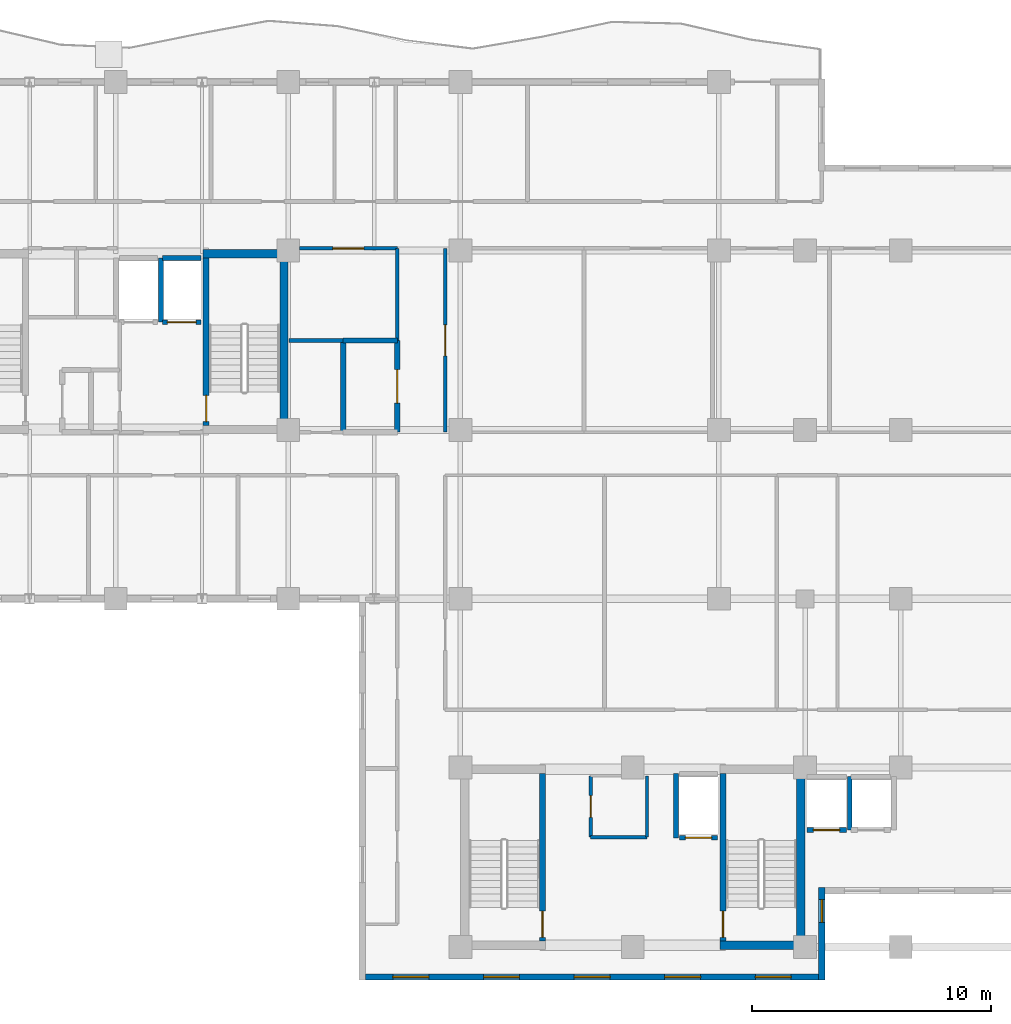
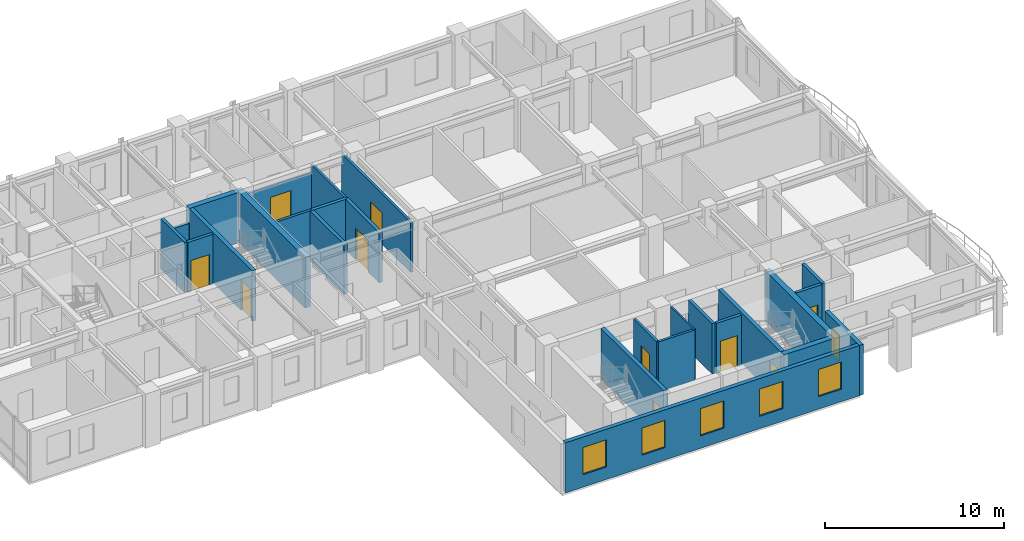
# One storey, part 14 of 20: 26 walls, 10 doors, 6 windows, 16 openings.
"""IFC4 building model written with IfcOpenShell, lengths in metres."""

from ifc_helpers import new_model, si_unit, direction, frame, frame_2d, origin, place, context, subcontext, project, spatial, rectangle, extrude, material, layer, layer_set, type_object, element, fill, save


model = new_model("IFC4")

# Units and contexts
model_context = context("Model", 3, precision=1e-05, world=origin(), true_north=direction((0.0, 1.0)))
body_context = subcontext(model_context, "Body", "Model", "MODEL_VIEW")
ifc_project = project(units=[si_unit("LENGTHUNIT", "METRE"), si_unit("AREAUNIT", "SQUARE_METRE"), si_unit("VOLUMEUNIT", "CUBIC_METRE"), si_unit("PLANEANGLEUNIT", "RADIAN"), si_unit("MASSUNIT", "GRAM", prefix="KILO")], contexts=[model_context])

# Site, building, storey
site_placement = place(None, origin())
site = spatial("IfcSite", under=ifc_project, at=site_placement, CompositionType="ELEMENT")
building_placement = place(site_placement, origin())
building = spatial("IfcBuilding", under=site, at=building_placement, Name="Kaliganga Portal Commons", CompositionType="ELEMENT")
storey_placement = place(building_placement, frame((0.0, 0.0, 231.39990234375)))
storey = spatial("IfcBuildingStorey", under=building, at=storey_placement, Name="L59", CompositionType="ELEMENT", Elevation=231.39990234375)

# Walls
ifc_material_1 = material(Name="Concrete C50/60", Category="concrete")
ifc_layer_1 = layer(ifc_material_1, 0.35009765625)
ifc_layer_set_1 = layer_set([ifc_layer_1], Name="Concrete C50/60")
wall_type_1 = type_object("IfcWallType", Name="WL-CORE-350", PredefinedType="SHEAR", material=ifc_layer_set_1)
wall_1_placement = place(storey_placement, frame((28.625, 28.5, 0.0), z_axis=(0.0, 0.0, 1.0), x_axis=(0.0, 1.0, 0.0)))
element("IfcWall", 1, at=wall_1_placement, inside=storey, type_object=wall_type_1, Name="Core A East Shear Wall L59", PredefinedType="SHEAR", context=body_context, shape_type="SweptSolid", body=[
    extrude(rectangle(XDim=7.699951171875, YDim=0.35009765625, at=frame_2d((3.85009765625, 0.0))), origin(), (0.0, 0.0, 1.0), 3.440185546875),
])
wall_2_placement = place(storey_placement, frame((25.25, 36.02490234375, 0.0), z_axis=(0.0, 0.0, 1.0), x_axis=(1.0, 0.0, 0.0)))
element("IfcWall", 2, at=wall_2_placement, inside=storey, type_object=wall_type_1, Name="Core A N-East Shear Wall L59", PredefinedType="SHEAR", context=body_context, shape_type="SweptSolid", body=[
    extrude(rectangle(XDim=3.199951171875, YDim=0.35009765625, at=frame_2d((1.60009765625, 0.0))), origin(), (0.0, 0.0, 1.0), 3.440185546875),
])
wall_3_placement = place(storey_placement, frame((50.22509765625, 6.949951171875, 0.0), z_axis=(0.0, 0.0, 1.0), x_axis=(0.0, 1.0, 0.0)))
element("IfcWall", 3, at=wall_3_placement, inside=storey, type_object=wall_type_1, Name="Core B East Shear Wall L59", PredefinedType="SHEAR", context=body_context, shape_type="SweptSolid", body=[
    extrude(rectangle(XDim=7.699951171875, YDim=0.35009765625, at=frame_2d((3.85009765625, 0.0))), origin(), (0.0, 0.0, 1.0), 3.440185546875),
])
wall_4_placement = place(storey_placement, frame((46.85009765625, 7.125, 0.0), z_axis=(0.0, 0.0, 1.0), x_axis=(1.0, 0.0, 0.0)))
element("IfcWall", 4, at=wall_4_placement, inside=storey, type_object=wall_type_1, Name="Core B S-East Shear Wall L59", PredefinedType="SHEAR", context=body_context, shape_type="SweptSolid", body=[
    extrude(rectangle(XDim=3.199951171875, YDim=0.35009765625, at=frame_2d((1.60009765625, 0.0))), origin(), (0.0, 0.0, 1.0), 3.440185546875),
])

# Wall, openings, windows
ifc_material_2 = material(Name="Insulated Aluminium-Clad Spandrel Assembly", Category="aluminium")
ifc_layer_2 = layer(ifc_material_2, 0.260009765625)
ifc_layer_set_2 = layer_set([ifc_layer_2], Name="Insulated Aluminium-Clad Spandrel Assembly")
wall_type_2 = type_object("IfcWallType", Name="WL-EXT-SPAND-260", PredefinedType="STANDARD", material=ifc_layer_set_2)
wall_5_placement = place(storey_placement, frame((50.965087890625, 5.800048828125, 0.0), z_axis=(0.0, 0.0, 1.0), x_axis=(-1.0, 0.0, 0.0)))
wall_5 = element("IfcWall", 5, at=wall_5_placement, inside=storey, type_object=wall_type_2, Name="Exterior Envelope Wall L59 P1-E00-S1", PredefinedType="STANDARD", context=body_context, shape_type="SweptSolid", body=[
    extrude(rectangle(XDim=18.93017578125, YDim=0.260009765625, at=frame_2d((9.465087890625, 0.0))), origin(), (0.0, 0.0, 1.0), 3.420166015625),
])
opening_1_placement = place(wall_5_placement, frame((1.14306640625, 0.0, 0.85009765625)))
opening_1 = element("IfcOpeningElement", 6, at=opening_1_placement, cuts=wall_5, Name="Opening W-02", PredefinedType="OPENING", context=body_context, shape_type="SweptSolid", body=[
    extrude(rectangle(XDim=1.5, YDim=1.85009765625, at=frame_2d((0.75, 0.925048828125))), frame((0.0, 0.14013671875, 0.0), z_axis=(0.0, -1.0, 0.0), x_axis=(1.0, 0.0, 0.0)), (0.0, 0.0, 1.0), 0.280029296875),
])
opening_2_placement = place(wall_5_placement, frame((4.928955078125, 0.0, 0.85009765625)))
opening_2 = element("IfcOpeningElement", 7, at=opening_2_placement, cuts=wall_5, Name="Opening W-02", PredefinedType="OPENING", context=body_context, shape_type="SweptSolid", body=[
    extrude(rectangle(XDim=1.5, YDim=1.85009765625, at=frame_2d((0.75, 0.925048828125))), frame((0.0, 0.14013671875, 0.0), z_axis=(0.0, -1.0, 0.0), x_axis=(1.0, 0.0, 0.0)), (0.0, 0.0, 1.0), 0.280029296875),
])
opening_3_placement = place(wall_5_placement, frame((8.715087890625, 0.0, 0.85009765625)))
opening_3 = element("IfcOpeningElement", 8, at=opening_3_placement, cuts=wall_5, Name="Opening W-02", PredefinedType="OPENING", context=body_context, shape_type="SweptSolid", body=[
    extrude(rectangle(XDim=1.5, YDim=1.85009765625, at=frame_2d((0.75, 0.925048828125))), frame((0.0, 0.14013671875, 0.0), z_axis=(0.0, -1.0, 0.0), x_axis=(1.0, 0.0, 0.0)), (0.0, 0.0, 1.0), 0.280029296875),
])
opening_4_placement = place(wall_5_placement, frame((12.5009765625, 0.0, 0.85009765625)))
opening_4 = element("IfcOpeningElement", 9, at=opening_4_placement, cuts=wall_5, Name="Opening W-02", PredefinedType="OPENING", context=body_context, shape_type="SweptSolid", body=[
    extrude(rectangle(XDim=1.5, YDim=1.85009765625, at=frame_2d((0.75, 0.925048828125))), frame((0.0, 0.14013671875, 0.0), z_axis=(0.0, -1.0, 0.0), x_axis=(1.0, 0.0, 0.0)), (0.0, 0.0, 1.0), 0.280029296875),
])
opening_5_placement = place(wall_5_placement, frame((16.287109375, 0.0, 0.85009765625)))
opening_5 = element("IfcOpeningElement", 10, at=opening_5_placement, cuts=wall_5, Name="Opening W-02", PredefinedType="OPENING", context=body_context, shape_type="SweptSolid", body=[
    extrude(rectangle(XDim=1.5, YDim=1.85009765625, at=frame_2d((0.75, 0.925048828125))), frame((0.0, 0.14013671875, 0.0), z_axis=(0.0, -1.0, 0.0), x_axis=(1.0, 0.0, 0.0)), (0.0, 0.0, 1.0), 0.280029296875),
])
ifc_material_3 = material(Name="Thermally Broken Aluminium and Low-E Double Glazing", Category="aluminium")
window_type_1 = type_object("IfcWindowType", Name="WIN-STD-1500", PartitioningType="DOUBLE_PANEL_VERTICAL", PredefinedType="WINDOW", material=ifc_material_3)
window_1_placement = place(opening_1_placement, origin())
window_1 = element("IfcWindow", 11, at=window_1_placement, inside=storey, type_object=window_type_1, Name="Facade Window L59-P1E00S1-00", OverallHeight=1.85009765625, OverallWidth=1.5, PartitioningType="SINGLE_PANEL", PredefinedType="WINDOW", context=body_context, shape_type="SweptSolid", body=[
    extrude(rectangle(XDim=1.5, YDim=1.85009765625, at=frame_2d((0.75, 0.925048828125))), frame((0.0, 0.030029296875, 0.0), z_axis=(0.0, -1.0, 0.0), x_axis=(1.0, 0.0, 0.0)), (0.0, 0.0, 1.0), 0.06005859375),
])
fill(opening_1, window_1)
window_2_placement = place(opening_2_placement, origin())
window_2 = element("IfcWindow", 12, at=window_2_placement, inside=storey, type_object=window_type_1, Name="Facade Window L59-P1E00S1-01", OverallHeight=1.85009765625, OverallWidth=1.5, PartitioningType="SINGLE_PANEL", PredefinedType="WINDOW", context=body_context, shape_type="SweptSolid", body=[
    extrude(rectangle(XDim=1.5, YDim=1.85009765625, at=frame_2d((0.75, 0.925048828125))), frame((0.0, 0.030029296875, 0.0), z_axis=(0.0, -1.0, 0.0), x_axis=(1.0, 0.0, 0.0)), (0.0, 0.0, 1.0), 0.06005859375),
])
fill(opening_2, window_2)
window_3_placement = place(opening_3_placement, origin())
window_3 = element("IfcWindow", 13, at=window_3_placement, inside=storey, type_object=window_type_1, Name="Facade Window L59-P1E00S1-02", OverallHeight=1.85009765625, OverallWidth=1.5, PartitioningType="SINGLE_PANEL", PredefinedType="WINDOW", context=body_context, shape_type="SweptSolid", body=[
    extrude(rectangle(XDim=1.5, YDim=1.85009765625, at=frame_2d((0.75, 0.925048828125))), frame((0.0, 0.030029296875, 0.0), z_axis=(0.0, -1.0, 0.0), x_axis=(1.0, 0.0, 0.0)), (0.0, 0.0, 1.0), 0.06005859375),
])
fill(opening_3, window_3)
window_4_placement = place(opening_4_placement, origin())
window_4 = element("IfcWindow", 14, at=window_4_placement, inside=storey, type_object=window_type_1, Name="Facade Window L59-P1E00S1-03", OverallHeight=1.85009765625, OverallWidth=1.5, PartitioningType="SINGLE_PANEL", PredefinedType="WINDOW", context=body_context, shape_type="SweptSolid", body=[
    extrude(rectangle(XDim=1.5, YDim=1.85009765625, at=frame_2d((0.75, 0.925048828125))), frame((0.0, 0.030029296875, 0.0), z_axis=(0.0, -1.0, 0.0), x_axis=(1.0, 0.0, 0.0)), (0.0, 0.0, 1.0), 0.06005859375),
])
fill(opening_4, window_4)
window_5_placement = place(opening_5_placement, origin())
window_5 = element("IfcWindow", 15, at=window_5_placement, inside=storey, type_object=window_type_1, Name="Facade Window L59-P1E00S1-04", OverallHeight=1.85009765625, OverallWidth=1.5, PartitioningType="SINGLE_PANEL", PredefinedType="WINDOW", context=body_context, shape_type="SweptSolid", body=[
    extrude(rectangle(XDim=1.5, YDim=1.85009765625, at=frame_2d((0.75, 0.925048828125))), frame((0.0, 0.030029296875, 0.0), z_axis=(0.0, -1.0, 0.0), x_axis=(1.0, 0.0, 0.0)), (0.0, 0.0, 1.0), 0.06005859375),
])
fill(opening_5, window_5)

# Wall, opening, window
wall_6_placement = place(storey_placement, frame((51.10009765625, 9.530029296875, 0.0), z_axis=(0.0, 0.0, 1.0), x_axis=(0.0, -1.0, 0.0)))
wall_6 = element("IfcWall", 16, at=wall_6_placement, inside=storey, type_object=wall_type_2, Name="Exterior Envelope Wall L59 P1-E01-S1", PredefinedType="STANDARD", context=body_context, shape_type="SweptSolid", body=[
    extrude(rectangle(XDim=3.860107421875, YDim=0.260009765625, at=frame_2d((1.93017578125, 0.0))), origin(), (0.0, 0.0, 1.0), 3.420166015625),
])
opening_6_placement = place(wall_6_placement, frame((0.497802734375, 0.0, 0.85009765625)))
opening_6 = element("IfcOpeningElement", 17, at=opening_6_placement, cuts=wall_6, Name="Opening W-04", PredefinedType="OPENING", context=body_context, shape_type="SweptSolid", body=[
    extrude(rectangle(XDim=0.949951171875, YDim=1.75, at=frame_2d((0.47509765625, 0.875))), frame((0.0, 0.14013671875, 0.0), z_axis=(0.0, -1.0, 0.0), x_axis=(1.0, 0.0, 0.0)), (0.0, 0.0, 1.0), 0.280029296875),
])
window_type_2 = type_object("IfcWindowType", Name="WIN-NARROW-950", PartitioningType="SINGLE_PANEL", PredefinedType="WINDOW", material=ifc_material_3)
window_6_placement = place(opening_6_placement, origin())
window_6 = element("IfcWindow", 18, at=window_6_placement, inside=storey, type_object=window_type_2, Name="Facade Window L59-P1E01S1-N1", OverallHeight=1.75, OverallWidth=0.949951171875, PartitioningType="SINGLE_PANEL", PredefinedType="WINDOW", context=body_context, shape_type="SweptSolid", body=[
    extrude(rectangle(XDim=0.949951171875, YDim=1.75, at=frame_2d((0.47509765625, 0.875))), frame((0.0, 0.030029296875, 0.0), z_axis=(0.0, -1.0, 0.0), x_axis=(1.0, 0.0, 0.0)), (0.0, 0.0, 1.0), 0.06005859375),
])
fill(opening_6, window_6)

# Wall, opening, door
ifc_material_4 = material(Name="Fire-Rated Gypsum Board on Steel Stud", Category="steel")
ifc_layer_3 = layer(ifc_material_4, 0.14990234375)
ifc_layer_set_3 = layer_set([ifc_layer_3], Name="Fire-Rated Gypsum Board on Steel Stud")
wall_type_3 = type_object("IfcWallType", Name="WL-PART-CORR-150", PredefinedType="PARTITIONING", material=ifc_layer_set_3)
wall_7_placement = place(storey_placement, frame((35.360107421875, 28.56005859375, 0.0), z_axis=(0.0, 0.0, 1.0), x_axis=(0.0, 1.0, 0.0)))
wall_7 = element("IfcWall", 19, at=wall_7_placement, inside=storey, type_object=wall_type_3, Name="Interior Partition L59-006", PredefinedType="PARTITIONING", context=body_context, shape_type="SweptSolid", body=[
    extrude(rectangle(XDim=7.679931640625, YDim=0.14990234375, at=frame_2d((3.83984375, 0.0))), origin(), (0.0, 0.0, 1.0), 3.420166015625),
])
opening_7_placement = place(wall_7_placement, frame((3.18994140625, 0.0, 0.0)))
opening_7 = element("IfcOpeningElement", 20, at=opening_7_placement, cuts=wall_7, Name="Opening RD-03", PredefinedType="OPENING", context=body_context, shape_type="SweptSolid", body=[
    extrude(rectangle(XDim=1.300048828125, YDim=2.1201171875, at=frame_2d((0.64990234375, 1.06005859375))), frame((0.0, 0.0849609375, 0.0), z_axis=(0.0, -1.0, 0.0), x_axis=(1.0, 0.0, 0.0)), (0.0, 0.0, 1.0), 0.169921875),
])
ifc_material_5 = material(Name="Glazed Timber Seminar Vision Door", Category="wood")
door_type_1 = type_object("IfcDoorType", Name="DR-STUDY-1300", OperationType="DOUBLE_DOOR_SINGLE_SWING", PredefinedType="DOOR", material=ifc_material_5)
door_1_placement = place(opening_7_placement, origin())
door_1 = element("IfcDoor", 21, at=door_1_placement, inside=storey, type_object=door_type_1, Name="Interior Door L59-BK01", OperationType="DOUBLE_DOOR_SINGLE_SWING", OverallHeight=2.1201171875, OverallWidth=1.300048828125, PredefinedType="DOOR", context=body_context, shape_type="SweptSolid", body=[
    extrude(rectangle(XDim=1.300048828125, YDim=2.1201171875, at=frame_2d((0.64990234375, 1.06005859375))), frame((0.0, 0.02490234375, 0.0), z_axis=(0.0, -1.0, 0.0), x_axis=(1.0, 0.0, 0.0)), (0.0, 0.0, 1.0), 0.050048828125),
])
fill(opening_7, door_1)

wall_8_placement = place(storey_placement, frame((29.27490234375, 36.239990234375, 0.0), z_axis=(0.0, 0.0, 1.0), x_axis=(1.0, 0.0, 0.0)))
wall_8 = element("IfcWall", 22, at=wall_8_placement, inside=storey, type_object=wall_type_3, Name="Interior Partition L59-023", PredefinedType="PARTITIONING", context=body_context, shape_type="SweptSolid", body=[
    extrude(rectangle(XDim=4.085205078125, YDim=0.14990234375, at=frame_2d((2.04248046875, 0.0))), origin(), (0.0, 0.0, 1.0), 2.8701171875),
])
opening_8_placement = place(wall_8_placement, frame((1.392578125, 0.0, 0.0)))
opening_8 = element("IfcOpeningElement", 23, at=opening_8_placement, cuts=wall_8, Name="Opening RD-03", PredefinedType="OPENING", context=body_context, shape_type="SweptSolid", body=[
    extrude(rectangle(XDim=1.300048828125, YDim=2.1201171875, at=frame_2d((0.64990234375, 1.06005859375))), frame((0.0, 0.0849609375, 0.0), z_axis=(0.0, -1.0, 0.0), x_axis=(1.0, 0.0, 0.0)), (0.0, 0.0, 1.0), 0.169921875),
])
door_2_placement = place(opening_8_placement, origin())
door_2 = element("IfcDoor", 24, at=door_2_placement, inside=storey, type_object=door_type_1, Name="Interior Door L59-CSRV_A2", OperationType="DOUBLE_DOOR_SINGLE_SWING", OverallHeight=2.1201171875, OverallWidth=1.300048828125, PredefinedType="DOOR", context=body_context, shape_type="SweptSolid", body=[
    extrude(rectangle(XDim=1.300048828125, YDim=2.1201171875, at=frame_2d((0.64990234375, 1.06005859375))), frame((0.0, 0.02490234375, 0.0), z_axis=(0.0, -1.0, 0.0), x_axis=(1.0, 0.0, 0.0)), (0.0, 0.0, 1.0), 0.050048828125),
])
fill(opening_8, door_2)

# Wall
wall_9_placement = place(storey_placement, frame((33.360107421875, 32.39990234375, 0.0), z_axis=(0.0, 0.0, 1.0), x_axis=(0.0, 1.0, 0.0)))
element("IfcWall", 25, at=wall_9_placement, inside=storey, type_object=wall_type_3, Name="Interior Partition L59-025", PredefinedType="PARTITIONING", context=body_context, shape_type="SweptSolid", body=[
    extrude(rectangle(XDim=3.840087890625, YDim=0.14990234375, at=frame_2d((1.919921875, 0.0))), origin(), (0.0, 0.0, 1.0), 3.420166015625),
])

# Wall, opening, door
wall_10_placement = place(storey_placement, frame((41.43994140625, 11.639892578125, 0.0), z_axis=(0.0, 0.0, 1.0), x_axis=(0.0, 1.0, 0.0)))
wall_10 = element("IfcWall", 26, at=wall_10_placement, inside=storey, type_object=wall_type_3, Name="Interior Partition L59-030", PredefinedType="PARTITIONING", context=body_context, shape_type="SweptSolid", body=[
    extrude(rectangle(XDim=2.56005859375, YDim=0.14990234375, at=frame_2d((1.280029296875, 0.0))), origin(), (0.0, 0.0, 1.0), 3.420166015625),
])
opening_9_placement = place(wall_10_placement, frame((0.830078125, 0.0, 0.0)))
opening_9 = element("IfcOpeningElement", 27, at=opening_9_placement, cuts=wall_10, Name="Opening RD-01", PredefinedType="OPENING", context=body_context, shape_type="SweptSolid", body=[
    extrude(rectangle(XDim=0.89990234375, YDim=2.080078125, at=frame_2d((0.449951171875, 1.0400390625))), frame((0.0, 0.0849609375, 0.0), z_axis=(0.0, -1.0, 0.0), x_axis=(1.0, 0.0, 0.0)), (0.0, 0.0, 1.0), 0.169921875),
])
ifc_material_6 = material(Name="Engineered Timber Flush Door", Category="wood")
door_type_2 = type_object("IfcDoorType", Name="DR-ROOM-900", OperationType="NOTDEFINED", PredefinedType="DOOR", material=ifc_material_6)
door_3_placement = place(opening_9_placement, origin())
door_3 = element("IfcDoor", 28, at=door_3_placement, inside=storey, type_object=door_type_2, Name="Interior Door L59-CREC_B1", OperationType="SINGLE_SWING_LEFT", OverallHeight=2.080078125, OverallWidth=0.89990234375, PredefinedType="DOOR", context=body_context, shape_type="SweptSolid", body=[
    extrude(rectangle(XDim=0.89990234375, YDim=2.080078125, at=frame_2d((0.449951171875, 1.0400390625))), frame((0.0, 0.02490234375, 0.0), z_axis=(0.0, -1.0, 0.0), x_axis=(1.0, 0.0, 0.0)), (0.0, 0.0, 1.0), 0.050048828125),
])
fill(opening_9, door_3)

# Wall
wall_11_placement = place(storey_placement, frame((41.43994140625, 11.639892578125, 0.0), z_axis=(0.0, 0.0, 1.0), x_axis=(1.0, 0.0, 0.0)))
element("IfcWall", 29, at=wall_11_placement, inside=storey, type_object=wall_type_3, Name="Interior Partition L59-033", PredefinedType="PARTITIONING", context=body_context, shape_type="SweptSolid", body=[
    extrude(rectangle(XDim=2.360107421875, YDim=0.14990234375, at=frame_2d((1.18017578125, 0.0))), origin(), (0.0, 0.0, 1.0), 3.420166015625),
])

# Wall, opening, door
ifc_material_7 = material(Name="Lightweight blockwork masonry", Category="masonry")
ifc_layer_4 = layer(ifc_material_7, 0.215087890625)
ifc_layer_set_4 = layer_set([ifc_layer_4], Name="Lightweight blockwork masonry")
wall_type_4 = type_object("IfcWallType", Name="WL-PART-PLANT-215", PredefinedType="PARTITIONING", material=ifc_layer_set_4)
wall_12_placement = place(storey_placement, frame((33.360107421875, 28.56005859375, 0.0), z_axis=(0.0, 0.0, 1.0), x_axis=(0.0, 1.0, 0.0)))
wall_12 = element("IfcWall", 30, at=wall_12_placement, inside=storey, type_object=wall_type_4, Name="Interior Partition L59-026", PredefinedType="PARTITIONING", context=body_context, shape_type="SweptSolid", body=[
    extrude(rectangle(XDim=3.83984375, YDim=0.215087890625, at=frame_2d((1.919921875, 0.0))), origin(), (0.0, 0.0, 1.0), 3.420166015625),
])
opening_10_placement = place(wall_12_placement, frame((1.219970703125, 0.0, 0.0)))
opening_10 = element("IfcOpeningElement", 31, at=opening_10_placement, cuts=wall_12, Name="Opening PD-01", PredefinedType="OPENING", context=body_context, shape_type="SweptSolid", body=[
    extrude(rectangle(XDim=1.39990234375, YDim=2.14990234375, at=frame_2d((0.699951171875, 1.074951171875))), frame((0.0, 0.11767578125, 0.0), z_axis=(0.0, -1.0, 0.0), x_axis=(1.0, 0.0, 0.0)), (0.0, 0.0, 1.0), 0.235107421875),
])
ifc_material_8 = material(Name="Heavy-Duty Steel Acoustic Louvre Fire Door", Category="steel")
door_type_3 = type_object("IfcDoorType", Name="DR-PLANT-1400", OperationType="DOUBLE_DOOR_SINGLE_SWING", PredefinedType="DOOR", material=ifc_material_8)
door_4_placement = place(opening_10_placement, origin())
door_4 = element("IfcDoor", 32, at=door_4_placement, inside=storey, type_object=door_type_3, Name="Interior Door L59-CSRV_A3", OperationType="DOUBLE_DOOR_SINGLE_SWING", OverallHeight=2.14990234375, OverallWidth=1.39990234375, PredefinedType="DOOR", context=body_context, shape_type="SweptSolid", body=[
    extrude(rectangle(XDim=1.39990234375, YDim=2.14990234375, at=frame_2d((0.699951171875, 1.074951171875))), frame((0.0, 0.02490234375, 0.0), z_axis=(0.0, -1.0, 0.0), x_axis=(1.0, 0.0, 0.0)), (0.0, 0.0, 1.0), 0.050048828125),
])
fill(opening_10, door_4)

# Walls
wall_13_placement = place(storey_placement, frame((31.10009765625, 28.56005859375, 0.0), z_axis=(0.0, 0.0, 1.0), x_axis=(0.0, 1.0, 0.0)))
element("IfcWall", 33, at=wall_13_placement, inside=storey, type_object=wall_type_4, Name="Interior Partition L59-072", PredefinedType="PARTITIONING", context=body_context, shape_type="SweptSolid", body=[
    extrude(rectangle(XDim=3.83984375, YDim=0.215087890625, at=frame_2d((1.919921875, 0.0))), origin(), (0.0, 0.0, 1.0), 3.420166015625),
])
wall_14_placement = place(storey_placement, frame((31.10009765625, 32.39990234375, 0.0), z_axis=(0.0, 0.0, 1.0), x_axis=(1.0, 0.0, 0.0)))
element("IfcWall", 34, at=wall_14_placement, inside=storey, type_object=wall_type_4, Name="Interior Partition L59-080", PredefinedType="PARTITIONING", context=body_context, shape_type="SweptSolid", body=[
    extrude(rectangle(XDim=2.260009765625, YDim=0.215087890625, at=frame_2d((1.1298828125, 0.0))), origin(), (0.0, 0.0, 1.0), 3.420166015625),
])
ifc_material_9 = material(Name="Moisture-Resistant Gypsum Partition", Category="gypsum")
ifc_layer_5 = layer(ifc_material_9, 0.114990234375)
ifc_layer_set_5 = layer_set([ifc_layer_5], Name="Moisture-Resistant Gypsum Partition")
wall_type_5 = type_object("IfcWallType", Name="WL-PART-ROOM-115", PredefinedType="PARTITIONING", material=ifc_layer_set_5)
wall_15_placement = place(storey_placement, frame((43.800048828125, 11.639892578125, 0.0), z_axis=(0.0, 0.0, 1.0), x_axis=(0.0, 1.0, 0.0)))
element("IfcWall", 35, at=wall_15_placement, inside=storey, type_object=wall_type_5, Name="Interior Partition L59-076", PredefinedType="PARTITIONING", context=body_context, shape_type="SweptSolid", body=[
    extrude(rectangle(XDim=2.56005859375, YDim=0.114990234375, at=frame_2d((1.280029296875, 0.0))), origin(), (0.0, 0.0, 1.0), 3.420166015625),
])
ifc_material_10 = material(Name="Twin-Stud Acoustic Gypsum Partition", Category="gypsum")
ifc_layer_6 = layer(ifc_material_10, 0.1650390625)
ifc_layer_set_6 = layer_set([ifc_layer_6], Name="Twin-Stud Acoustic Gypsum Partition")
wall_type_6 = type_object("IfcWallType", Name="WL-PART-UNIT-165", PredefinedType="PARTITIONING", material=ifc_layer_set_6)
wall_16_placement = place(storey_placement, frame((28.840087890625, 32.39990234375, 0.0), z_axis=(0.0, 0.0, 1.0), x_axis=(1.0, 0.0, 0.0)))
element("IfcWall", 36, at=wall_16_placement, inside=storey, type_object=wall_type_6, Name="Interior Partition L59-079", PredefinedType="PARTITIONING", context=body_context, shape_type="SweptSolid", body=[
    extrude(rectangle(XDim=2.260009765625, YDim=0.1650390625, at=frame_2d((1.1298828125, 0.0))), origin(), (0.0, 0.0, 1.0), 3.420166015625),
])
ifc_material_11 = material(Name="Fire-Rated Shaftwall Masonry Assembly", Category="masonry")
ifc_layer_7 = layer(ifc_material_11, 0.199951171875)
ifc_layer_set_7 = layer_set([ifc_layer_7], Name="Fire-Rated Shaftwall Masonry Assembly")
wall_type_7 = type_object("IfcWallType", Name="WL-SHAFT-200", PredefinedType="PARTITIONING", material=ifc_layer_set_7)
wall_17_placement = place(storey_placement, frame((23.489990234375, 33.159912109375, 0.0), z_axis=(0.0, 0.0, 1.0), x_axis=(0.0, 1.0, 0.0)))
element("IfcWall", 37, at=wall_17_placement, inside=storey, type_object=wall_type_7, Name="Lift FFL-1 Hoistway Shaft Wall L59-E", PredefinedType="PARTITIONING", context=body_context, shape_type="SweptSolid", body=[
    extrude(rectangle(XDim=2.68017578125, YDim=0.199951171875, at=frame_2d((1.340087890625, 0.0))), origin(), (0.0, 0.0, 1.0), 3.420166015625),
])

# Wall, opening, door
wall_18_placement = place(storey_placement, frame((23.550048828125, 33.159912109375, 0.0), z_axis=(0.0, 0.0, 1.0), x_axis=(1.0, 0.0, 0.0)))
wall_18 = element("IfcWall", 38, at=wall_18_placement, inside=storey, type_object=wall_type_7, Name="Lift FFL-2 Hoistway Shaft Wall L59-S", PredefinedType="PARTITIONING", context=body_context, shape_type="SweptSolid", body=[
    extrude(rectangle(XDim=1.599853515625, YDim=0.199951171875, at=frame_2d((0.7998046875, 0.0))), origin(), (0.0, 0.0, 1.0), 3.420166015625),
])
opening_11_placement = place(wall_18_placement, frame((0.199951171875, 0.0, 0.0)))
opening_11 = element("IfcOpeningElement", 39, at=opening_11_placement, cuts=wall_18, Name="Opening LD-02", PredefinedType="OPENING", context=body_context, shape_type="SweptSolid", body=[
    extrude(rectangle(XDim=1.199951171875, YDim=2.1201171875, at=frame_2d((0.60009765625, 1.06005859375))), frame((0.0, 0.10986328125, 0.0), z_axis=(0.0, -1.0, 0.0), x_axis=(1.0, 0.0, 0.0)), (0.0, 0.0, 1.0), 0.219970703125),
])
ifc_material_12 = material(Name="Brushed Stainless Steel 316 Stretcher Lift Landing Door", Category="steel")
door_type_4 = type_object("IfcDoorType", Name="DR-LIFT-1200", OperationType="SLIDING_TO_RIGHT", PredefinedType="DOOR", material=ifc_material_12)
door_5_placement = place(opening_11_placement, origin())
door_5 = element("IfcDoor", 40, at=door_5_placement, inside=storey, type_object=door_type_4, Name="Lift FFL-2 Sliding Landing Door L59", OperationType="SLIDING_TO_RIGHT", OverallHeight=2.1201171875, OverallWidth=1.199951171875, PredefinedType="DOOR", context=body_context, shape_type="SweptSolid", body=[
    extrude(rectangle(XDim=1.199951171875, YDim=2.1201171875, at=frame_2d((0.60009765625, 1.06005859375))), frame((0.0, 0.02490234375, 0.0), z_axis=(0.0, -1.0, 0.0), x_axis=(1.0, 0.0, 0.0)), (0.0, 0.0, 1.0), 0.050048828125),
])
fill(opening_11, door_5)

# Wall
wall_19_placement = place(storey_placement, frame((23.550048828125, 35.840087890625, 0.0), z_axis=(0.0, 0.0, 1.0), x_axis=(1.0, 0.0, 0.0)))
element("IfcWall", 41, at=wall_19_placement, inside=storey, type_object=wall_type_7, Name="Lift FFL-2 Hoistway Shaft Wall L59-N", PredefinedType="PARTITIONING", context=body_context, shape_type="SweptSolid", body=[
    extrude(rectangle(XDim=1.599853515625, YDim=0.199951171875, at=frame_2d((0.7998046875, 0.0))), origin(), (0.0, 0.0, 1.0), 2.52001953125),
])

# Wall, opening, door
wall_20_placement = place(storey_placement, frame((50.47509765625, 11.93505859375, 0.0), z_axis=(0.0, 0.0, 1.0), x_axis=(1.0, 0.0, 0.0)))
wall_20 = element("IfcWall", 42, at=wall_20_placement, inside=storey, type_object=wall_type_7, Name="Lift PL-B3 Hoistway Shaft Wall L59-S", PredefinedType="PARTITIONING", context=body_context, shape_type="SweptSolid", body=[
    extrude(rectangle(XDim=1.64990234375, YDim=0.199951171875, at=frame_2d((0.824951171875, 0.0))), origin(), (0.0, 0.0, 1.0), 3.420166015625),
])
opening_12_placement = place(wall_20_placement, frame((0.27490234375, 0.0, 0.0)))
opening_12 = element("IfcOpeningElement", 43, at=opening_12_placement, cuts=wall_20, Name="Opening LD-01", PredefinedType="OPENING", context=body_context, shape_type="SweptSolid", body=[
    extrude(rectangle(XDim=1.10009765625, YDim=2.1201171875, at=frame_2d((0.550048828125, 1.06005859375))), frame((0.0, 0.10986328125, 0.0), z_axis=(0.0, -1.0, 0.0), x_axis=(1.0, 0.0, 0.0)), (0.0, 0.0, 1.0), 0.219970703125),
])
ifc_material_13 = material(Name="Brushed Stainless Steel 316 Lift Landing Door", Category="steel")
door_type_5 = type_object("IfcDoorType", Name="DR-LIFT-1100", OperationType="SLIDING_TO_LEFT", PredefinedType="DOOR", material=ifc_material_13)
door_6_placement = place(opening_12_placement, origin())
door_6 = element("IfcDoor", 44, at=door_6_placement, inside=storey, type_object=door_type_5, Name="Lift PL-B3 Sliding Landing Door L59", OperationType="SLIDING_TO_LEFT", OverallHeight=2.1201171875, OverallWidth=1.10009765625, PredefinedType="DOOR", context=body_context, shape_type="SweptSolid", body=[
    extrude(rectangle(XDim=1.10009765625, YDim=2.1201171875, at=frame_2d((0.550048828125, 1.06005859375))), frame((0.0, 0.02490234375, 0.0), z_axis=(0.0, -1.0, 0.0), x_axis=(1.0, 0.0, 0.0)), (0.0, 0.0, 1.0), 0.050048828125),
])
fill(opening_12, door_6)

# Wall
wall_21_placement = place(storey_placement, frame((52.264892578125, 11.93505859375, 0.0), z_axis=(0.0, 0.0, 1.0), x_axis=(0.0, 1.0, 0.0)))
element("IfcWall", 45, at=wall_21_placement, inside=storey, type_object=wall_type_7, Name="Lift PL-B3 Hoistway Shaft Wall L59-E", PredefinedType="PARTITIONING", context=body_context, shape_type="SweptSolid", body=[
    extrude(rectangle(XDim=2.22998046875, YDim=0.199951171875, at=frame_2d((1.114990234375, 0.0))), origin(), (0.0, 0.0, 1.0), 3.420166015625),
])

# Wall, opening, door
wall_22_placement = place(storey_placement, frame((45.14990234375, 11.610107421875, 0.0), z_axis=(0.0, 0.0, 1.0), x_axis=(1.0, 0.0, 0.0)))
wall_22 = element("IfcWall", 46, at=wall_22_placement, inside=storey, type_object=wall_type_7, Name="Lift SL-B1 Hoistway Shaft Wall L59-S", PredefinedType="PARTITIONING", context=body_context, shape_type="SweptSolid", body=[
    extrude(rectangle(XDim=1.60009765625, YDim=0.199951171875, at=frame_2d((0.800048828125, 0.0))), origin(), (0.0, 0.0, 1.0), 3.420166015625),
])
opening_13_placement = place(wall_22_placement, frame((0.25, 0.0, 0.0)))
opening_13 = element("IfcOpeningElement", 47, at=opening_13_placement, cuts=wall_22, Name="Opening LD-01", PredefinedType="OPENING", context=body_context, shape_type="SweptSolid", body=[
    extrude(rectangle(XDim=1.10009765625, YDim=2.1201171875, at=frame_2d((0.550048828125, 1.06005859375))), frame((0.0, 0.10986328125, 0.0), z_axis=(0.0, -1.0, 0.0), x_axis=(1.0, 0.0, 0.0)), (0.0, 0.0, 1.0), 0.219970703125),
])
door_7_placement = place(opening_13_placement, origin())
door_7 = element("IfcDoor", 48, at=door_7_placement, inside=storey, type_object=door_type_5, Name="Lift SL-B1 Sliding Landing Door L59", OperationType="SLIDING_TO_LEFT", OverallHeight=2.1201171875, OverallWidth=1.10009765625, PredefinedType="DOOR", context=body_context, shape_type="SweptSolid", body=[
    extrude(rectangle(XDim=1.10009765625, YDim=2.1201171875, at=frame_2d((0.550048828125, 1.06005859375))), frame((0.0, 0.02490234375, 0.0), z_axis=(0.0, -1.0, 0.0), x_axis=(1.0, 0.0, 0.0)), (0.0, 0.0, 1.0), 0.050048828125),
])
fill(opening_13, door_7)

# Wall
wall_23_placement = place(storey_placement, frame((45.010009765625, 11.610107421875, 0.0), z_axis=(0.0, 0.0, 1.0), x_axis=(0.0, 1.0, 0.0)))
element("IfcWall", 49, at=wall_23_placement, inside=storey, type_object=wall_type_7, Name="Lift SL-B1 Hoistway Shaft Wall L59-W", PredefinedType="PARTITIONING", context=body_context, shape_type="SweptSolid", body=[
    extrude(rectangle(XDim=2.679931640625, YDim=0.199951171875, at=frame_2d((1.33984375, 0.0))), origin(), (0.0, 0.0, 1.0), 3.420166015625),
])

# Wall, opening, door
ifc_layer_8 = layer(ifc_material_1, 0.25)
ifc_layer_set_8 = layer_set([ifc_layer_8], Name="Concrete C50/60")
wall_type_8 = type_object("IfcWallType", Name="WL-STAIR-250", PredefinedType="SHEAR", material=ifc_layer_set_8)
wall_24_placement = place(storey_placement, frame((25.375, 28.85009765625, 0.0), z_axis=(0.0, 0.0, 1.0), x_axis=(0.0, 1.0, 0.0)))
wall_24 = element("IfcWall", 50, at=wall_24_placement, inside=storey, type_object=wall_type_8, Name="Stair A2 Enclosure Shear Wall L59", PredefinedType="SHEAR", context=body_context, shape_type="SweptSolid", body=[
    extrude(rectangle(XDim=7.0, YDim=0.25, at=frame_2d((3.5, 0.0))), origin(), (0.0, 0.0, 1.0), 3.440185546875),
])
opening_14_placement = place(wall_24_placement, frame((0.14990234375, 0.0, 0.0)))
opening_14 = element("IfcOpeningElement", 51, at=opening_14_placement, cuts=wall_24, Name="Opening SD-01", PredefinedType="OPENING", context=body_context, shape_type="SweptSolid", body=[
    extrude(rectangle(XDim=1.10009765625, YDim=2.080078125, at=frame_2d((0.550048828125, 1.0400390625))), frame((0.0, 0.135009765625, 0.0), z_axis=(0.0, -1.0, 0.0), x_axis=(1.0, 0.0, 0.0)), (0.0, 0.0, 1.0), 0.27001953125),
])
ifc_material_14 = material(Name="Galvanized Steel Fire Door Leaf and Frame", Category="steel")
door_type_6 = type_object("IfcDoorType", Name="DR-STAIR-1100", OperationType="NOTDEFINED", PredefinedType="DOOR", material=ifc_material_14)
door_8_placement = place(opening_14_placement, origin())
door_8 = element("IfcDoor", 52, at=door_8_placement, inside=storey, type_object=door_type_6, Name="Protected Stair ST-A2 Fire Door L59", OperationType="SINGLE_SWING_RIGHT", OverallHeight=2.080078125, OverallWidth=1.10009765625, PredefinedType="DOOR", context=body_context, shape_type="SweptSolid", body=[
    extrude(rectangle(XDim=1.10009765625, YDim=2.080078125, at=frame_2d((0.550048828125, 1.0400390625))), frame((0.0, 0.02490234375, 0.0), z_axis=(0.0, -1.0, 0.0), x_axis=(1.0, 0.0, 0.0)), (0.0, 0.0, 1.0), 0.050048828125),
])
fill(opening_14, door_8)

wall_25_placement = place(storey_placement, frame((39.425048828125, 7.300048828125, 0.0), z_axis=(0.0, 0.0, 1.0), x_axis=(0.0, 1.0, 0.0)))
wall_25 = element("IfcWall", 53, at=wall_25_placement, inside=storey, type_object=wall_type_8, Name="Stair B1 Enclosure Shear Wall L59", PredefinedType="SHEAR", context=body_context, shape_type="SweptSolid", body=[
    extrude(rectangle(XDim=7.0, YDim=0.25, at=frame_2d((3.5, 0.0))), origin(), (0.0, 0.0, 1.0), 3.440185546875),
])
opening_15_placement = place(wall_25_placement, frame((0.14990234375, 0.0, 0.0)))
opening_15 = element("IfcOpeningElement", 54, at=opening_15_placement, cuts=wall_25, Name="Opening SD-01", PredefinedType="OPENING", context=body_context, shape_type="SweptSolid", body=[
    extrude(rectangle(XDim=1.10009765625, YDim=2.080078125, at=frame_2d((0.550048828125, 1.0400390625))), frame((0.0, 0.135009765625, 0.0), z_axis=(0.0, -1.0, 0.0), x_axis=(1.0, 0.0, 0.0)), (0.0, 0.0, 1.0), 0.27001953125),
])
door_9_placement = place(opening_15_placement, origin())
door_9 = element("IfcDoor", 55, at=door_9_placement, inside=storey, type_object=door_type_6, Name="Protected Stair ST-B1 Fire Door L59", OperationType="SINGLE_SWING_LEFT", OverallHeight=2.080078125, OverallWidth=1.10009765625, PredefinedType="DOOR", context=body_context, shape_type="SweptSolid", body=[
    extrude(rectangle(XDim=1.10009765625, YDim=2.080078125, at=frame_2d((0.550048828125, 1.0400390625))), frame((0.0, 0.02490234375, 0.0), z_axis=(0.0, -1.0, 0.0), x_axis=(1.0, 0.0, 0.0)), (0.0, 0.0, 1.0), 0.050048828125),
])
fill(opening_15, door_9)

wall_26_placement = place(storey_placement, frame((46.97509765625, 7.300048828125, 0.0), z_axis=(0.0, 0.0, 1.0), x_axis=(0.0, 1.0, 0.0)))
wall_26 = element("IfcWall", 56, at=wall_26_placement, inside=storey, type_object=wall_type_8, Name="Stair B2 Enclosure Shear Wall L59", PredefinedType="SHEAR", context=body_context, shape_type="SweptSolid", body=[
    extrude(rectangle(XDim=7.0, YDim=0.25, at=frame_2d((3.5, 0.0))), origin(), (0.0, 0.0, 1.0), 3.440185546875),
])
opening_16_placement = place(wall_26_placement, frame((0.14990234375, 0.0, 0.0)))
opening_16 = element("IfcOpeningElement", 57, at=opening_16_placement, cuts=wall_26, Name="Opening SD-01", PredefinedType="OPENING", context=body_context, shape_type="SweptSolid", body=[
    extrude(rectangle(XDim=1.10009765625, YDim=2.080078125, at=frame_2d((0.550048828125, 1.0400390625))), frame((0.0, 0.135009765625, 0.0), z_axis=(0.0, -1.0, 0.0), x_axis=(1.0, 0.0, 0.0)), (0.0, 0.0, 1.0), 0.27001953125),
])
door_10_placement = place(opening_16_placement, origin())
door_10 = element("IfcDoor", 58, at=door_10_placement, inside=storey, type_object=door_type_6, Name="Protected Stair ST-B2 Fire Door L59", OperationType="SINGLE_SWING_RIGHT", OverallHeight=2.080078125, OverallWidth=1.10009765625, PredefinedType="DOOR", context=body_context, shape_type="SweptSolid", body=[
    extrude(rectangle(XDim=1.10009765625, YDim=2.080078125, at=frame_2d((0.550048828125, 1.0400390625))), frame((0.0, 0.02490234375, 0.0), z_axis=(0.0, -1.0, 0.0), x_axis=(1.0, 0.0, 0.0)), (0.0, 0.0, 1.0), 0.050048828125),
])
fill(opening_16, door_10)

save(model, "model.ifc")
